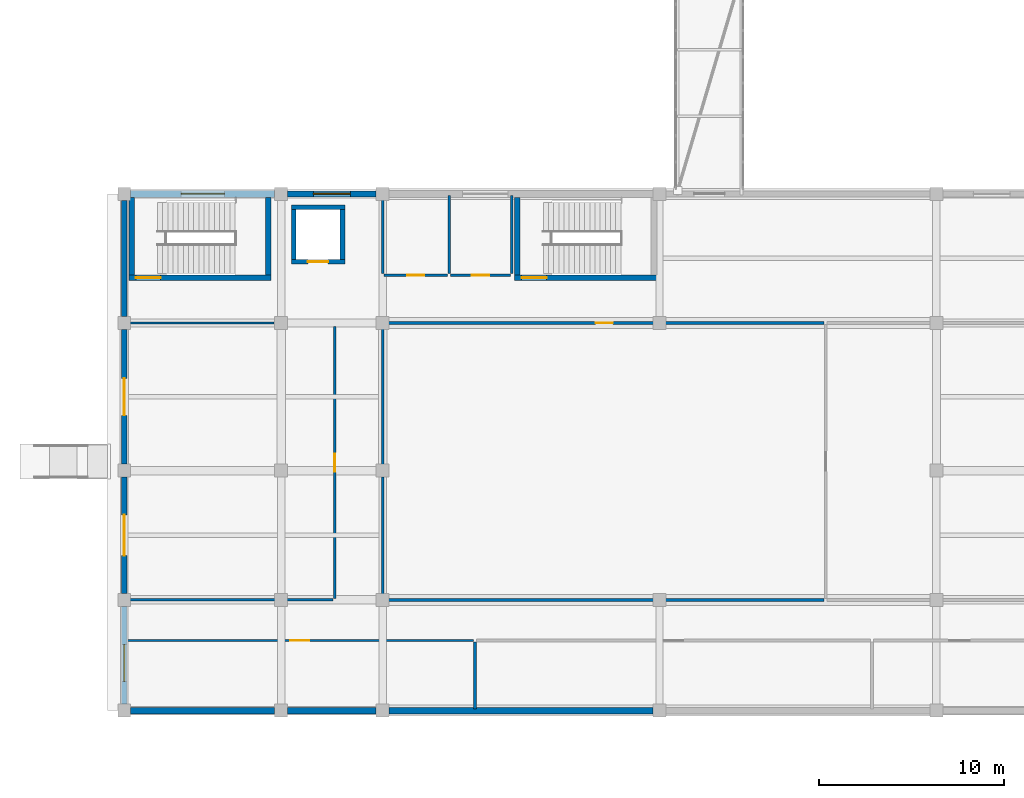
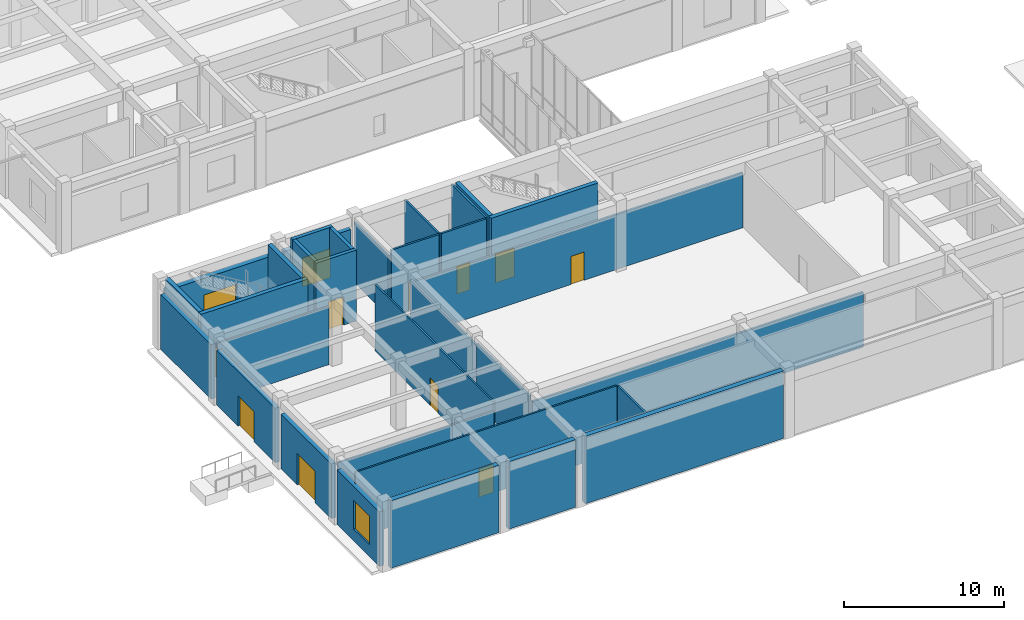
# One storey, part 18 of 40: 32 walls, 10 doors, 3 windows, 13 openings.
"""IFC4 building model written with IfcOpenShell, lengths in metres."""

import ifcopenshell
import ifcopenshell.guid

model = None  # the IFC model being written
_history = None  # IfcOwnerHistory: only IFC2X3 demands one
_inside = {}  # id of a spatial element -> (the spatial element, [elements in it])
_under = {}  # id of a project, library or spatial element -> (it, [spatial elements below it])
_declared = {}  # id of a project -> (the project, [libraries it declares])
_typed = {}  # id of a type object -> (the type object, [elements of that type])
_made_of = {}  # id of a material, layer set ... -> (it, [elements and type objects made of it])


def new_model(schema):
    """Start an empty IFC model of exactly this schema.

    Asked for "IFC4X3", IfcOpenShell would pick the latest addendum, in which some entities
    have other attributes; the version numbers below select the first issue.
    IFC2X3 requires an IfcOwnerHistory on every rooted entity: one is made here for all.
    """
    global model, _history
    if schema == "IFC4X3":
        model = ifcopenshell.file(schema_version=(4, 3, 0, 0))
    else:
        model = ifcopenshell.file(schema=schema)
    _inside.clear()
    _under.clear()
    _declared.clear()
    _typed.clear()
    _made_of.clear()
    _history = None
    if model.schema == "IFC2X3":
        org = make("IfcOrganization", Name="unknown")
        user = make(
            "IfcPersonAndOrganization",
            ThePerson=make("IfcPerson", FamilyName="unknown"),
            TheOrganization=org,
        )
        app = make(
            "IfcApplication",
            ApplicationDeveloper=org,
            Version="unknown",
            ApplicationFullName="unknown",
            ApplicationIdentifier="unknown",
        )
        _history = make(
            "IfcOwnerHistory",
            OwningUser=user,
            OwningApplication=app,
            ChangeAction="ADDED",
            CreationDate=0,
        )
    return model


def make(cls, **values):
    """One entity of the class cls with the attributes given. An attribute that is None is left unset."""
    return model.create_entity(
        cls, **{name: value for name, value in values.items() if value is not None}
    )


def rooted(cls, **values):
    """An entity with a GlobalId (a new one), such as an element, a storey or a relation."""
    return make(cls, GlobalId=ifcopenshell.guid.new(), OwnerHistory=_history, **values)


def si_unit(unit_type, name, prefix=None):
    """IfcSIUnit, for example si_unit("LENGTHUNIT", "METRE", prefix="MILLI")."""
    return make("IfcSIUnit", UnitType=unit_type, Prefix=prefix, Name=name)


def assignment(units):
    """IfcUnitAssignment: the units of a project."""
    return None if units is None else make("IfcUnitAssignment", Units=units)


def point(xyz):
    """IfcCartesianPoint."""
    return None if xyz is None else make("IfcCartesianPoint", Coordinates=xyz)


def direction(xyz):
    """IfcDirection."""
    return None if xyz is None else make("IfcDirection", DirectionRatios=xyz)


def frame(location, z_axis=None, x_axis=None):
    """IfcAxis2Placement3D, a coordinate frame: its origin and axes. An axis left out is left unset."""
    return make(
        "IfcAxis2Placement3D",
        Location=point(location),
        Axis=direction(z_axis),
        RefDirection=direction(x_axis),
    )


def frame_2d(location, x_axis=None):
    """IfcAxis2Placement2D, a coordinate frame in the plane: its origin and x axis."""
    return make(
        "IfcAxis2Placement2D", Location=point(location), RefDirection=direction(x_axis)
    )


def origin():
    """The frame at (0, 0, 0) with its axes left unset."""
    return frame((0.0, 0.0, 0.0))


def place(relative_to, where):
    """IfcLocalPlacement: puts the frame where relative to a parent placement (None: the world)."""
    return make(
        "IfcLocalPlacement", PlacementRelTo=relative_to, RelativePlacement=where
    )


def context(
    kind, dimensions, precision=None, world=None, true_north=None, identifier=None
):
    """IfcGeometricRepresentationContext, for example the 3D "Model" context."""
    return make(
        "IfcGeometricRepresentationContext",
        ContextIdentifier=identifier,
        ContextType=kind,
        CoordinateSpaceDimension=dimensions,
        Precision=precision,
        WorldCoordinateSystem=world,
        TrueNorth=true_north,
    )


def subcontext(parent, identifier, kind, view, scale=None):
    """IfcGeometricRepresentationSubContext, for example "Body" below "Model"."""
    return make(
        "IfcGeometricRepresentationSubContext",
        ContextIdentifier=identifier,
        ContextType=kind,
        ParentContext=parent,
        TargetScale=scale,
        TargetView=view,
    )


def project(units=None, contexts=None):
    """IfcProject with its units and contexts."""
    return rooted(
        "IfcProject",
        Name="project",
        RepresentationContexts=contexts,
        UnitsInContext=assignment(units),
    )


def spatial(cls, under=None, at=None, **own):
    """A site, building, storey or space (cls), placed at a placement, below another one or the project."""
    s = rooted(cls, ObjectPlacement=at, **own)
    if under is not None:
        _under.setdefault(under.id(), (under, []))[1].append(s)
    return s


def profile(cls, at=None, kind="AREA", **sizes):
    """A parametric profile (cls). Its sizes go by their IFC names, for example OverallWidth=200.0."""
    return make(cls, ProfileType=kind, Position=at, **sizes)


def rectangle(**sizes):
    """IfcRectangleProfileDef."""
    return profile("IfcRectangleProfileDef", **sizes)


def extrude(swept, where, along, depth):
    """IfcExtrudedAreaSolid: the profile swept, set in the frame where, extruded along a direction by depth."""
    return make(
        "IfcExtrudedAreaSolid",
        SweptArea=swept,
        Position=where,
        ExtrudedDirection=direction(along),
        Depth=depth,
    )


def shape(context_of_items, identifier, shape_type, items):
    """IfcShapeRepresentation: the items that make up one representation, for example the "Body"."""
    return make(
        "IfcShapeRepresentation",
        ContextOfItems=context_of_items,
        RepresentationIdentifier=identifier,
        RepresentationType=shape_type,
        Items=items,
    )


def material(Name=None, Category=None):
    """IfcMaterial."""
    return make("IfcMaterial", Name=Name, Category=Category)


def layer(
    of_material, thickness, ventilated=None, Name=None, Category=None, Priority=None
):
    """IfcMaterialLayer: one layer of a wall or slab, of a material (None: an air gap)."""
    return make(
        "IfcMaterialLayer",
        Material=of_material,
        LayerThickness=thickness,
        IsVentilated=ventilated,
        Name=Name,
        Category=Category,
        Priority=Priority,
    )


def layer_set(layers, Name=None):
    """IfcMaterialLayerSet."""
    return make("IfcMaterialLayerSet", MaterialLayers=layers, LayerSetName=Name)


def made_of(thing, what):
    """Note that an element or type object is made of a material, layer set ...; save() writes the relation."""
    if what is not None:
        _made_of.setdefault(what.id(), (what, []))[1].append(thing)
    return thing


def type_object(cls, material=None, **own):
    """A type object (cls), such as IfcWallType, which elements share."""
    return made_of(rooted(cls, **own), material)


def element(
    cls,
    number,
    at=None,
    inside=None,
    cuts=None,
    type_object=None,
    material=None,
    context=None,
    identifier="Body",
    shape_type=None,
    held_by="IfcProductDefinitionShape",
    body=None,
    shapes=None,
    **own,
):
    """One element of the class cls, such as IfcWall. Its Tag is "e" and its number.

    at: its placement. inside: the storey or other place that contains it. cuts: it is an
    opening in that element (IfcRelVoidsElement). A single representation is given by context,
    identifier, shape_type and body (its items); several are given by shapes. held_by: the class
    of the entity that holds the representations. save() writes the other relations.
    """
    e = rooted(cls, Tag="e%d" % number, ObjectPlacement=at, **own)
    if body is not None:
        shapes = [shape(context, identifier, shape_type, body)]
    if shapes is not None:
        e.Representation = make(held_by, Representations=shapes)
    if inside is not None:
        _inside.setdefault(inside.id(), (inside, []))[1].append(e)
    if cuts is not None:
        rooted(
            "IfcRelVoidsElement", RelatingBuildingElement=cuts, RelatedOpeningElement=e
        )
    if type_object is not None:
        _typed.setdefault(type_object.id(), (type_object, []))[1].append(e)
    return made_of(e, material)


def fill(opening, filler):
    """IfcRelFillsElement: the door or window that sits in an opening."""
    return rooted(
        "IfcRelFillsElement",
        RelatingOpeningElement=opening,
        RelatedBuildingElement=filler,
    )


def aggregate(whole, parts):
    """IfcRelAggregates: a whole, such as a stair, and the parts it consists of."""
    return rooted("IfcRelAggregates", RelatingObject=whole, RelatedObjects=parts)


def save(model, path):
    """Write the relations noted so far, then the file.

    IfcRelAggregates (storeys below a building ...), IfcRelContainedInSpatialStructure (elements
    in a storey), IfcRelDefinesByType, IfcRelAssociatesMaterial and IfcRelDeclares: one each for
    every whole, place, type object, material and project.
    """
    for whole, parts in _under.values():
        aggregate(whole, parts)
    for where, things in _inside.values():
        rooted(
            "IfcRelContainedInSpatialStructure",
            RelatedElements=things,
            RelatingStructure=where,
        )
    for kind, things in _typed.values():
        rooted("IfcRelDefinesByType", RelatedObjects=things, RelatingType=kind)
    for what, things in _made_of.values():
        rooted("IfcRelAssociatesMaterial", RelatedObjects=things, RelatingMaterial=what)
    for by, libraries in _declared.values():
        rooted("IfcRelDeclares", RelatingContext=by, RelatedDefinitions=libraries)
    model.write(path)


model = new_model("IFC4")

# Units and contexts
model_context = context("Model", 3, precision=1e-05, world=origin(), true_north=direction((0.0, 1.0)))
body_context = subcontext(model_context, "Body", "Model", "MODEL_VIEW")
ifc_project = project(units=[si_unit("LENGTHUNIT", "METRE"), si_unit("AREAUNIT", "SQUARE_METRE"), si_unit("VOLUMEUNIT", "CUBIC_METRE"), si_unit("PLANEANGLEUNIT", "RADIAN"), si_unit("MASSUNIT", "GRAM", prefix="KILO")], contexts=[model_context])

# Site, building, storey
site_placement = place(None, origin())
site = spatial("IfcSite", under=ifc_project, at=site_placement, CompositionType="ELEMENT")
building_placement = place(site_placement, origin())
building = spatial("IfcBuilding", under=site, at=building_placement, Name="Naurynzar Civic Courthouse", CompositionType="ELEMENT")
storey_placement = place(building_placement, origin())
storey = spatial("IfcBuildingStorey", under=building, at=storey_placement, Name="L01", CompositionType="ELEMENT", Elevation=0.0)

# Wall, opening, door
ifc_material_1 = material(Name="Concrete C40/50", Category="concrete")
ifc_layer_1 = layer(ifc_material_1, 0.300048828125)
ifc_layer_set_1 = layer_set([ifc_layer_1], Name="WL-CORE-300")
wall_type_1 = type_object("IfcWallType", Name="WL-CORE-300", PredefinedType="SHEAR", material=ifc_layer_set_1)
wall_1_placement = place(storey_placement, frame((13.949951171875, 27.449951171875, 0.0), z_axis=(0.0, 0.0, 1.0), x_axis=(-1.0, 0.0, 0.0)))
wall_1 = element("IfcWall", 1, at=wall_1_placement, inside=storey, type_object=wall_type_1, Name="Stair ST-V4A enclosure wall south L01", PredefinedType="SHEAR", context=body_context, shape_type="SweptSolid", body=[
    extrude(rectangle(XDim=7.699951171875, YDim=0.300048828125, at=frame_2d((3.85009765625, 0.0))), origin(), (0.0, 0.0, 1.0), 5.139892578125),
])
opening_1_placement = place(wall_1_placement, frame((5.97509765625, 0.0, 0.0)))
opening_1 = element("IfcOpeningElement", 2, at=opening_1_placement, cuts=wall_1, Name="Opening SD-012", PredefinedType="OPENING", context=body_context, shape_type="SweptSolid", body=[
    extrude(rectangle(XDim=1.35009765625, YDim=2.199951171875, at=frame_2d((0.675048828125, 1.10009765625))), frame((0.0, 0.159912109375, 0.0), z_axis=(0.0, -1.0, 0.0), x_axis=(1.0, 0.0, 0.0)), (0.0, 0.0, 1.0), 0.320068359375),
])
ifc_material_2 = material(Name="Powder-Coated Galvanised Steel", Category="steel")
door_type_1 = type_object("IfcDoorType", Name="DR-STAIR-1350x2200", OperationType="NOTDEFINED", PredefinedType="DOOR", material=ifc_material_2)
door_1_placement = place(opening_1_placement, origin())
door_1 = element("IfcDoor", 3, at=door_1_placement, inside=storey, type_object=door_type_1, Name="Stair ST-V4A fire door L01", OperationType="SINGLE_SWING_RIGHT", OverallHeight=2.199951171875, OverallWidth=1.35009765625, PredefinedType="DOOR", context=body_context, shape_type="SweptSolid", body=[
    extrude(rectangle(XDim=1.35009765625, YDim=2.199951171875, at=frame_2d((0.675048828125, 1.10009765625))), frame((0.0, 0.02490234375, 0.0), z_axis=(0.0, -1.0, 0.0), x_axis=(1.0, 0.0, 0.0)), (0.0, 0.0, 1.0), 0.050048828125),
])
fill(opening_1, door_1)

# Walls
for number, where, z_axis, x_axis, name in (
    (4, (6.39990234375, 31.804931640625, 0.0), (0.0, 0.0, 1.0), (0.0, -1.0, 0.0), "Stair ST-V4A enclosure wall west L01"),
    (5, (13.800048828125, 27.60498046875, 0.0), (0.0, 0.0, 1.0), (0.0, 1.0, 0.0), "Stair ST-V4A enclosure wall east L01"),
):
    element("IfcWall", number, at=place(storey_placement, frame(where, z_axis=z_axis, x_axis=x_axis)), inside=storey, type_object=wall_type_1, Name=name, PredefinedType="SHEAR", context=body_context, shape_type="SweptSolid", body=[
        extrude(rectangle(XDim=4.199951171875, YDim=0.300048828125, at=frame_2d((2.10009765625, 0.0))), origin(), (0.0, 0.0, 1.0), 5.139892578125),
    ])

# Wall, opening, door
wall_2_placement = place(storey_placement, frame((34.85009765625, 27.449951171875, 0.0), z_axis=(0.0, 0.0, 1.0), x_axis=(-1.0, 0.0, 0.0)))
wall_2 = element("IfcWall", 6, at=wall_2_placement, inside=storey, type_object=wall_type_1, Name="Stair ST-V4B enclosure wall south L01", PredefinedType="SHEAR", context=body_context, shape_type="SweptSolid", body=[
    extrude(rectangle(XDim=7.7001953125, YDim=0.300048828125, at=frame_2d((3.85009765625, 0.0))), origin(), (0.0, 0.0, 1.0), 5.139892578125),
])
opening_2_placement = place(wall_2_placement, frame((5.97509765625, 0.0, 0.0)))
opening_2 = element("IfcOpeningElement", 7, at=opening_2_placement, cuts=wall_2, Name="Opening SD-018", PredefinedType="OPENING", context=body_context, shape_type="SweptSolid", body=[
    extrude(rectangle(XDim=1.35009765625, YDim=2.199951171875, at=frame_2d((0.675048828125, 1.10009765625))), frame((0.0, 0.159912109375, 0.0), z_axis=(0.0, -1.0, 0.0), x_axis=(1.0, 0.0, 0.0)), (0.0, 0.0, 1.0), 0.320068359375),
])
door_2_placement = place(opening_2_placement, origin())
door_2 = element("IfcDoor", 8, at=door_2_placement, inside=storey, type_object=door_type_1, Name="Stair ST-V4B fire door L01", OperationType="SINGLE_SWING_RIGHT", OverallHeight=2.199951171875, OverallWidth=1.35009765625, PredefinedType="DOOR", context=body_context, shape_type="SweptSolid", body=[
    extrude(rectangle(XDim=1.35009765625, YDim=2.199951171875, at=frame_2d((0.675048828125, 1.10009765625))), frame((0.0, 0.02490234375, 0.0), z_axis=(0.0, -1.0, 0.0), x_axis=(1.0, 0.0, 0.0)), (0.0, 0.0, 1.0), 0.050048828125),
])
fill(opening_2, door_2)

# Wall
wall_3_placement = place(storey_placement, frame((27.300048828125, 31.804931640625, 0.0), z_axis=(0.0, 0.0, 1.0), x_axis=(0.0, -1.0, 0.0)))
element("IfcWall", 9, at=wall_3_placement, inside=storey, type_object=wall_type_1, Name="Stair ST-V4B enclosure wall west L01", PredefinedType="SHEAR", context=body_context, shape_type="SweptSolid", body=[
    extrude(rectangle(XDim=4.199951171875, YDim=0.300048828125, at=frame_2d((2.10009765625, 0.0))), origin(), (0.0, 0.0, 1.0), 5.139892578125),
])

# Wall, opening, window
ifc_material_3 = material(Name="Precast concrete C40/50", Category="concrete")
ifc_layer_2 = layer(ifc_material_3, 0.320068359375)
ifc_layer_set_2 = layer_set([ifc_layer_2], Name="WL-EXT-320")
wall_type_2 = type_object("IfcWallType", Name="WL-EXT-320", PredefinedType="SOLIDWALL", material=ifc_layer_set_2)
wall_4_placement = place(storey_placement, frame((6.0, 4.35009765625, 0.0), z_axis=(0.0, 0.0, 1.0), x_axis=(0.0, 1.0, 0.0)))
wall_4 = element("IfcWall", 10, at=wall_4_placement, inside=storey, type_object=wall_type_2, Name="V4 exterior wall west L01.1.1", PredefinedType="SOLIDWALL", context=body_context, shape_type="SweptSolid", body=[
    extrude(rectangle(XDim=5.2998046875, YDim=0.320068359375, at=frame_2d((2.64990234375, 0.0))), origin(), (0.0, 0.0, 1.0), 4.159912109375),
])
opening_3_placement = place(wall_4_placement, frame((1.22998046875, 0.0, 0.89990234375)))
opening_3 = element("IfcOpeningElement", 11, at=opening_3_placement, cuts=wall_4, Name="Opening WN-13", PredefinedType="OPENING", context=body_context, shape_type="SweptSolid", body=[
    extrude(rectangle(XDim=2.0, YDim=2.199951171875, at=frame_2d((1.0, 1.10009765625))), frame((0.0, 0.169921875, 0.0), z_axis=(0.0, -1.0, 0.0), x_axis=(1.0, 0.0, 0.0)), (0.0, 0.0, 1.0), 0.340087890625),
])
ifc_material_4 = material(Name="Tempered Laminated Low-E Glass", Category="glass")
window_type_1 = type_object("IfcWindowType", Name="WIN-REG-2000x2200", PartitioningType="DOUBLE_PANEL_VERTICAL", PredefinedType="WINDOW", material=ifc_material_4)
window_1_placement = place(opening_3_placement, origin())
window_1 = element("IfcWindow", 12, at=window_1_placement, inside=storey, type_object=window_type_1, Name="V4 window 214 L01", OverallHeight=2.199951171875, OverallWidth=2.0, PartitioningType="SINGLE_PANEL", PredefinedType="WINDOW", context=body_context, shape_type="SweptSolid", body=[
    extrude(rectangle(XDim=2.0, YDim=2.199951171875, at=frame_2d((1.0, 1.10009765625))), frame((0.0, 0.030029296875, 0.0), z_axis=(0.0, -1.0, 0.0), x_axis=(1.0, 0.0, 0.0)), (0.0, 0.0, 1.0), 0.06005859375),
])
fill(opening_3, window_1)

# Wall, opening, door
wall_5_placement = place(storey_placement, frame((6.0, 10.35009765625, 0.0), z_axis=(0.0, 0.0, 1.0), x_axis=(0.0, 1.0, 0.0)))
wall_5 = element("IfcWall", 13, at=wall_5_placement, inside=storey, type_object=wall_type_2, Name="V4 exterior wall west L01.2.1", PredefinedType="SOLIDWALL", context=body_context, shape_type="SweptSolid", body=[
    extrude(rectangle(XDim=6.2998046875, YDim=0.320068359375, at=frame_2d((3.14990234375, 0.0))), origin(), (0.0, 0.0, 1.0), 4.159912109375),
])
opening_4_placement = place(wall_5_placement, frame((2.050048828125, 0.0, 0.0)))
opening_4 = element("IfcOpeningElement", 14, at=opening_4_placement, cuts=wall_5, Name="Opening ED-14", PredefinedType="OPENING", context=body_context, shape_type="SweptSolid", body=[
    extrude(rectangle(XDim=2.199951171875, YDim=2.39990234375, at=frame_2d((1.10009765625, 1.199951171875))), frame((0.0, 0.169921875, 0.0), z_axis=(0.0, -1.0, 0.0), x_axis=(1.0, 0.0, 0.0)), (0.0, 0.0, 1.0), 0.340087890625),
])
ifc_material_5 = material(Name="Aluminium 6063-T6", Category="aluminium")
door_type_2 = type_object("IfcDoorType", Name="DR-EXT-2200x2400", OperationType="DOUBLE_DOOR_SINGLE_SWING", PredefinedType="DOOR", material=ifc_material_5)
door_3_placement = place(opening_4_placement, origin())
door_3 = element("IfcDoor", 15, at=door_3_placement, inside=storey, type_object=door_type_2, Name="Ground final exit door ED-14", OperationType="DOUBLE_DOOR_SINGLE_SWING", OverallHeight=2.39990234375, OverallWidth=2.199951171875, PredefinedType="DOOR", context=body_context, shape_type="SweptSolid", body=[
    extrude(rectangle(XDim=2.199951171875, YDim=2.39990234375, at=frame_2d((1.10009765625, 1.199951171875))), frame((0.0, 0.02490234375, 0.0), z_axis=(0.0, -1.0, 0.0), x_axis=(1.0, 0.0, 0.0)), (0.0, 0.0, 1.0), 0.050048828125),
])
fill(opening_4, door_3)

wall_6_placement = place(storey_placement, frame((6.0, 17.35009765625, 0.0), z_axis=(0.0, 0.0, 1.0), x_axis=(0.0, 1.0, 0.0)))
wall_6 = element("IfcWall", 16, at=wall_6_placement, inside=storey, type_object=wall_type_2, Name="V4 exterior wall west L01.3.1", PredefinedType="SOLIDWALL", context=body_context, shape_type="SweptSolid", body=[
    extrude(rectangle(XDim=7.2998046875, YDim=0.320068359375, at=frame_2d((3.64990234375, 0.0))), origin(), (0.0, 0.0, 1.0), 4.159912109375),
])
opening_5_placement = place(wall_6_placement, frame((2.64990234375, 0.0, 0.0)))
opening_5 = element("IfcOpeningElement", 17, at=opening_5_placement, cuts=wall_6, Name="Opening ED-15", PredefinedType="OPENING", context=body_context, shape_type="SweptSolid", body=[
    extrude(rectangle(XDim=2.0, YDim=2.300048828125, at=frame_2d((1.0, 1.14990234375))), frame((0.0, 0.169921875, 0.0), z_axis=(0.0, -1.0, 0.0), x_axis=(1.0, 0.0, 0.0)), (0.0, 0.0, 1.0), 0.340087890625),
])
ifc_material_6 = material(Name="Aluminium 6063-T6", Category="aluminium")
door_type_3 = type_object("IfcDoorType", Name="DR-EXT-2000x2300", OperationType="DOUBLE_DOOR_SINGLE_SWING", PredefinedType="DOOR", material=ifc_material_6)
door_4_placement = place(opening_5_placement, origin())
door_4 = element("IfcDoor", 18, at=door_4_placement, inside=storey, type_object=door_type_3, Name="Ground final exit door ED-15", OperationType="DOUBLE_DOOR_SINGLE_SWING", OverallHeight=2.300048828125, OverallWidth=2.0, PredefinedType="DOOR", context=body_context, shape_type="SweptSolid", body=[
    extrude(rectangle(XDim=2.0, YDim=2.300048828125, at=frame_2d((1.0, 1.14990234375))), frame((0.0, 0.02490234375, 0.0), z_axis=(0.0, -1.0, 0.0), x_axis=(1.0, 0.0, 0.0)), (0.0, 0.0, 1.0), 0.050048828125),
])
fill(opening_5, door_4)

# Wall
wall_7_placement = place(storey_placement, frame((6.0, 25.35009765625, 0.0), z_axis=(0.0, 0.0, 1.0), x_axis=(0.0, 1.0, 0.0)))
element("IfcWall", 19, at=wall_7_placement, inside=storey, type_object=wall_type_2, Name="V4 exterior wall west L01.4.1", PredefinedType="SOLIDWALL", context=body_context, shape_type="SweptSolid", body=[
    extrude(rectangle(XDim=6.2998046875, YDim=0.320068359375, at=frame_2d((3.14990234375, 0.0))), origin(), (0.0, 0.0, 1.0), 4.159912109375),
])

# Wall, opening, window
wall_8_placement = place(storey_placement, frame((14.85009765625, 32.0, 0.0), z_axis=(0.0, 0.0, 1.0), x_axis=(1.0, 0.0, 0.0)))
wall_8 = element("IfcWall", 20, at=wall_8_placement, inside=storey, type_object=wall_type_2, Name="V4 exterior wall north L01.2.1", PredefinedType="SOLIDWALL", context=body_context, shape_type="SweptSolid", body=[
    extrude(rectangle(XDim=4.7998046875, YDim=0.320068359375, at=frame_2d((2.39990234375, 0.0))), origin(), (0.0, 0.0, 1.0), 4.159912109375),
])
opening_6_placement = place(wall_8_placement, frame((1.39990234375, 0.0, 0.89990234375)))
opening_6 = element("IfcOpeningElement", 21, at=opening_6_placement, cuts=wall_8, Name="Opening WN-13", PredefinedType="OPENING", context=body_context, shape_type="SweptSolid", body=[
    extrude(rectangle(XDim=2.0, YDim=2.199951171875, at=frame_2d((1.0, 1.10009765625))), frame((0.0, 0.169921875, 0.0), z_axis=(0.0, -1.0, 0.0), x_axis=(1.0, 0.0, 0.0)), (0.0, 0.0, 1.0), 0.340087890625),
])
window_2_placement = place(opening_6_placement, origin())
window_2 = element("IfcWindow", 22, at=window_2_placement, inside=storey, type_object=window_type_1, Name="V4 window 215 L01", OverallHeight=2.199951171875, OverallWidth=2.0, PartitioningType="SINGLE_PANEL", PredefinedType="WINDOW", context=body_context, shape_type="SweptSolid", body=[
    extrude(rectangle(XDim=2.0, YDim=2.199951171875, at=frame_2d((1.0, 1.10009765625))), frame((0.0, 0.030029296875, 0.0), z_axis=(0.0, -1.0, 0.0), x_axis=(1.0, 0.0, 0.0)), (0.0, 0.0, 1.0), 0.06005859375),
])
fill(opening_6, window_2)

# Wall
ifc_material_7 = material(Name="Fire-Rated Corridor Gypsum Partition")
ifc_layer_3 = layer(ifc_material_7, 0.14990234375)
ifc_layer_set_3 = layer_set([ifc_layer_3], Name="WL-PART-CORR-150")
wall_type_3 = type_object("IfcWallType", Name="WL-PART-CORR-150", PredefinedType="PARTITIONING", material=ifc_layer_set_3)
wall_9_placement = place(storey_placement, frame((20.080078125, 10.0, 0.0), z_axis=(0.0, 0.0, 1.0), x_axis=(1.0, 0.0, 0.0)))
element("IfcWall", 23, at=wall_9_placement, inside=storey, type_object=wall_type_3, Name="V4 interior partition L01.72", PredefinedType="PARTITIONING", context=body_context, shape_type="SweptSolid", body=[
    extrude(rectangle(XDim=23.83984375, YDim=0.14990234375, at=frame_2d((11.919921875, 0.0))), origin(), (0.0, 0.0, 1.0), 4.179931640625),
])

# Wall, opening, door
wall_10_placement = place(storey_placement, frame((20.080078125, 25.0, 0.0), z_axis=(0.0, 0.0, 1.0), x_axis=(1.0, 0.0, 0.0)))
wall_10 = element("IfcWall", 24, at=wall_10_placement, inside=storey, type_object=wall_type_3, Name="V4 interior partition L01.82", PredefinedType="PARTITIONING", context=body_context, shape_type="SweptSolid", body=[
    extrude(rectangle(XDim=23.83984375, YDim=0.14990234375, at=frame_2d((11.919921875, 0.0))), origin(), (0.0, 0.0, 1.0), 4.179931640625),
])
opening_7_placement = place(wall_10_placement, frame((11.449951171875, 0.0, 0.0)))
opening_7 = element("IfcOpeningElement", 25, at=opening_7_placement, cuts=wall_10, Name="Opening D-057", PredefinedType="OPENING", context=body_context, shape_type="SweptSolid", body=[
    extrude(rectangle(XDim=0.93994140625, YDim=2.14990234375, at=frame_2d((0.469970703125, 1.074951171875))), frame((0.0, 0.0849609375, 0.0), z_axis=(0.0, -1.0, 0.0), x_axis=(1.0, 0.0, 0.0)), (0.0, 0.0, 1.0), 0.169921875),
])
ifc_material_8 = material(Name="Acoustic Oak Timber Grade A", Category="wood")
door_type_4 = type_object("IfcDoorType", Name="DR-SUITE-940x2150", OperationType="NOTDEFINED", PredefinedType="DOOR", material=ifc_material_8)
door_5_placement = place(opening_7_placement, origin())
door_5 = element("IfcDoor", 26, at=door_5_placement, inside=storey, type_object=door_type_4, Name="Interior door D-057 (Public Hall)", OperationType="SINGLE_SWING_LEFT", OverallHeight=2.14990234375, OverallWidth=0.93994140625, PredefinedType="DOOR", context=body_context, shape_type="SweptSolid", body=[
    extrude(rectangle(XDim=0.93994140625, YDim=2.14990234375, at=frame_2d((0.469970703125, 1.074951171875))), frame((0.0, 0.02490234375, 0.0), z_axis=(0.0, -1.0, 0.0), x_axis=(1.0, 0.0, 0.0)), (0.0, 0.0, 1.0), 0.050048828125),
])
fill(opening_7, door_5)

# Walls
wall_11_placement = place(storey_placement, frame((20.0, 10.080078125, 0.0), z_axis=(0.0, 0.0, 1.0), x_axis=(0.0, 1.0, 0.0)))
element("IfcWall", 27, at=wall_11_placement, inside=storey, type_object=wall_type_3, Name="V4 interior partition L01.137a", PredefinedType="PARTITIONING", context=body_context, shape_type="SweptSolid", body=[
    extrude(rectangle(XDim=6.56982421875, YDim=0.14990234375, at=frame_2d((3.284912109375, 0.0))), origin(), (0.0, 0.0, 1.0), 4.580078125),
])
wall_12_placement = place(storey_placement, frame((20.0, 16.64990234375, 0.0), z_axis=(0.0, 0.0, 1.0), x_axis=(0.0, 1.0, 0.0)))
element("IfcWall", 28, at=wall_12_placement, inside=storey, type_object=wall_type_3, Name="V4 interior partition L01.137ab", PredefinedType="PARTITIONING", context=body_context, shape_type="SweptSolid", body=[
    extrude(rectangle(XDim=8.27001953125, YDim=0.14990234375, at=frame_2d((4.135009765625, 0.0))), origin(), (0.0, 0.0, 1.0), 4.429931640625),
])
wall_13_placement = place(storey_placement, frame((25.0, 4.080078125, 0.0), z_axis=(0.0, 0.0, 1.0), x_axis=(0.0, 1.0, 0.0)))
element("IfcWall", 29, at=wall_13_placement, inside=storey, type_object=wall_type_3, Name="V4 interior partition L01.140", PredefinedType="PARTITIONING", context=body_context, shape_type="SweptSolid", body=[
    extrude(rectangle(XDim=3.639892578125, YDim=0.14990234375, at=frame_2d((1.81982421875, 0.0))), origin(), (0.0, 0.0, 1.0), 5.0400390625),
])

# Wall, opening, door
ifc_material_9 = material(Name="Metal-Stud Gypsum Partition")
ifc_layer_4 = layer(ifc_material_9, 0.125)
ifc_layer_set_4 = layer_set([ifc_layer_4], Name="WL-PART-STD-125")
wall_type_4 = type_object("IfcWallType", Name="WL-PART-STD-125", PredefinedType="PARTITIONING", material=ifc_layer_set_4)
wall_14_placement = place(storey_placement, frame((6.080078125, 7.800048828125, 0.0), z_axis=(0.0, 0.0, 1.0), x_axis=(1.0, 0.0, 0.0)))
wall_14 = element("IfcWall", 30, at=wall_14_placement, inside=storey, type_object=wall_type_4, Name="V4 interior partition L01.68", PredefinedType="PARTITIONING", context=body_context, shape_type="SweptSolid", body=[
    extrude(rectangle(XDim=18.83984375, YDim=0.125, at=frame_2d((9.419921875, 0.0))), origin(), (0.0, 0.0, 1.0), 5.0400390625),
])
opening_8_placement = place(wall_14_placement, frame((8.89990234375, 0.0, 0.0)))
opening_8 = element("IfcOpeningElement", 31, at=opening_8_placement, cuts=wall_14, Name="Opening D-060", PredefinedType="OPENING", context=body_context, shape_type="SweptSolid", body=[
    extrude(rectangle(XDim=1.0400390625, YDim=2.14990234375, at=frame_2d((0.52001953125, 1.074951171875))), frame((0.0, 0.072509765625, 0.0), z_axis=(0.0, -1.0, 0.0), x_axis=(1.0, 0.0, 0.0)), (0.0, 0.0, 1.0), 0.14501953125),
])
ifc_material_10 = material(Name="Acoustic Oak Timber Grade A", Category="wood")
door_type_5 = type_object("IfcDoorType", Name="DR-SUITE-1040x2150", OperationType="NOTDEFINED", PredefinedType="DOOR", material=ifc_material_10)
door_6_placement = place(opening_8_placement, origin())
door_6 = element("IfcDoor", 32, at=door_6_placement, inside=storey, type_object=door_type_5, Name="Interior door D-060 (Civil Case Registry)", OperationType="SINGLE_SWING_RIGHT", OverallHeight=2.14990234375, OverallWidth=1.0400390625, PredefinedType="DOOR", context=body_context, shape_type="SweptSolid", body=[
    extrude(rectangle(XDim=1.0400390625, YDim=2.14990234375, at=frame_2d((0.52001953125, 1.074951171875))), frame((0.0, 0.02490234375, 0.0), z_axis=(0.0, -1.0, 0.0), x_axis=(1.0, 0.0, 0.0)), (0.0, 0.0, 1.0), 0.050048828125),
])
fill(opening_8, door_6)

# Walls
wall_15_placement = place(storey_placement, frame((6.080078125, 10.0, 0.0), z_axis=(0.0, 0.0, 1.0), x_axis=(1.0, 0.0, 0.0)))
element("IfcWall", 33, at=wall_15_placement, inside=storey, type_object=wall_type_4, Name="V4 interior partition L01.71", PredefinedType="PARTITIONING", context=body_context, shape_type="SweptSolid", body=[
    extrude(rectangle(XDim=11.239990234375, YDim=0.125, at=frame_2d((5.6201171875, 0.0))), origin(), (0.0, 0.0, 1.0), 4.429931640625),
])
wall_16_placement = place(storey_placement, frame((6.080078125, 25.0, 0.0), z_axis=(0.0, 0.0, 1.0), x_axis=(1.0, 0.0, 0.0)))
element("IfcWall", 34, at=wall_16_placement, inside=storey, type_object=wall_type_4, Name="V4 interior partition L01.81", PredefinedType="PARTITIONING", context=body_context, shape_type="SweptSolid", body=[
    extrude(rectangle(XDim=8.02001953125, YDim=0.125, at=frame_2d((4.010009765625, 0.0))), origin(), (0.0, 0.0, 1.0), 4.429931640625),
])

# Wall, opening, door
wall_17_placement = place(storey_placement, frame((17.39990234375, 10.080078125, 0.0), z_axis=(0.0, 0.0, 1.0), x_axis=(0.0, 1.0, 0.0)))
wall_17 = element("IfcWall", 35, at=wall_17_placement, inside=storey, type_object=wall_type_4, Name="V4 interior partition L01.135", PredefinedType="PARTITIONING", context=body_context, shape_type="SweptSolid", body=[
    extrude(rectangle(XDim=14.719970703125, YDim=0.125, at=frame_2d((7.35986328125, 0.0))), origin(), (0.0, 0.0, 1.0), 5.0400390625),
])
opening_9_placement = place(wall_17_placement, frame((6.8701171875, 0.0, 0.0)))
opening_9 = element("IfcOpeningElement", 36, at=opening_9_placement, cuts=wall_17, Name="Opening D-058", PredefinedType="OPENING", context=body_context, shape_type="SweptSolid", body=[
    extrude(rectangle(XDim=0.97998046875, YDim=2.10009765625, at=frame_2d((0.489990234375, 1.050048828125))), frame((0.0, 0.072509765625, 0.0), z_axis=(0.0, -1.0, 0.0), x_axis=(1.0, 0.0, 0.0)), (0.0, 0.0, 1.0), 0.14501953125),
])
ifc_material_11 = material(Name="Acoustic Oak Timber Grade A", Category="wood")
door_type_6 = type_object("IfcDoorType", Name="DR-SUITE-980x2100", OperationType="NOTDEFINED", PredefinedType="DOOR", material=ifc_material_11)
door_7_placement = place(opening_9_placement, origin())
door_7 = element("IfcDoor", 37, at=door_7_placement, inside=storey, type_object=door_type_6, Name="Interior door D-058 (Security Screening Concourse)", OperationType="SINGLE_SWING_RIGHT", OverallHeight=2.10009765625, OverallWidth=0.97998046875, PredefinedType="DOOR", context=body_context, shape_type="SweptSolid", body=[
    extrude(rectangle(XDim=0.97998046875, YDim=2.10009765625, at=frame_2d((0.489990234375, 1.050048828125))), frame((0.0, 0.02490234375, 0.0), z_axis=(0.0, -1.0, 0.0), x_axis=(1.0, 0.0, 0.0)), (0.0, 0.0, 1.0), 0.050048828125),
])
fill(opening_9, door_7)

ifc_material_12 = material(Name="Moisture-Resistant Plumbing Partition")
ifc_layer_5 = layer(ifc_material_12, 0.139892578125)
ifc_layer_set_5 = layer_set([ifc_layer_5], Name="WL-PART-WC-140")
wall_type_5 = type_object("IfcWallType", Name="WL-PART-WC-140", PredefinedType="PLUMBINGWALL", material=ifc_layer_set_5)
wall_18_placement = place(storey_placement, frame((20.080078125, 27.60009765625, 0.0), z_axis=(0.0, 0.0, 1.0), x_axis=(1.0, 0.0, 0.0)))
wall_18 = element("IfcWall", 38, at=wall_18_placement, inside=storey, type_object=wall_type_5, Name="V4 interior partition L01.88", PredefinedType="PLUMBINGWALL", context=body_context, shape_type="SweptSolid", body=[
    extrude(rectangle(XDim=3.43994140625, YDim=0.139892578125, at=frame_2d((1.719970703125, 0.0))), origin(), (0.0, 0.0, 1.0), 5.0400390625),
])
opening_10_placement = place(wall_18_placement, frame((1.260009765625, 0.0, 0.0)))
opening_10 = element("IfcOpeningElement", 39, at=opening_10_placement, cuts=wall_18, Name="Opening D-055", PredefinedType="OPENING", context=body_context, shape_type="SweptSolid", body=[
    extrude(rectangle(XDim=0.919921875, YDim=2.10009765625, at=frame_2d((0.4599609375, 1.050048828125))), frame((0.0, 0.079833984375, 0.0), z_axis=(0.0, -1.0, 0.0), x_axis=(1.0, 0.0, 0.0)), (0.0, 0.0, 1.0), 0.159912109375),
])
ifc_material_13 = material(Name="Acoustic Oak Timber Grade A", Category="wood")
door_type_7 = type_object("IfcDoorType", Name="DR-WC-STD-920x2100", OperationType="NOTDEFINED", PredefinedType="DOOR", material=ifc_material_13)
door_8_placement = place(opening_10_placement, origin())
door_8 = element("IfcDoor", 40, at=door_8_placement, inside=storey, type_object=door_type_7, Name="Interior door D-055 (Public WC V4)", OperationType="SINGLE_SWING_LEFT", OverallHeight=2.10009765625, OverallWidth=0.919921875, PredefinedType="DOOR", context=body_context, shape_type="SweptSolid", body=[
    extrude(rectangle(XDim=0.919921875, YDim=2.10009765625, at=frame_2d((0.4599609375, 1.050048828125))), frame((0.0, 0.02490234375, 0.0), z_axis=(0.0, -1.0, 0.0), x_axis=(1.0, 0.0, 0.0)), (0.0, 0.0, 1.0), 0.050048828125),
])
fill(opening_10, door_8)

wall_19_placement = place(storey_placement, frame((23.679931640625, 27.60009765625, 0.0), z_axis=(0.0, 0.0, 1.0), x_axis=(1.0, 0.0, 0.0)))
wall_19 = element("IfcWall", 41, at=wall_19_placement, inside=storey, type_object=wall_type_5, Name="V4 interior partition L01.89", PredefinedType="PLUMBINGWALL", context=body_context, shape_type="SweptSolid", body=[
    extrude(rectangle(XDim=3.239990234375, YDim=0.139892578125, at=frame_2d((1.6201171875, 0.0))), origin(), (0.0, 0.0, 1.0), 5.0400390625),
])
opening_11_placement = place(wall_19_placement, frame((1.139892578125, 0.0, 0.0)))
opening_11 = element("IfcOpeningElement", 42, at=opening_11_placement, cuts=wall_19, Name="Opening D-056", PredefinedType="OPENING", context=body_context, shape_type="SweptSolid", body=[
    extrude(rectangle(XDim=0.9599609375, YDim=2.10009765625, at=frame_2d((0.47998046875, 1.050048828125))), frame((0.0, 0.079833984375, 0.0), z_axis=(0.0, -1.0, 0.0), x_axis=(1.0, 0.0, 0.0)), (0.0, 0.0, 1.0), 0.159912109375),
])
ifc_material_14 = material(Name="Acoustic Oak Timber Grade A", Category="wood")
door_type_8 = type_object("IfcDoorType", Name="DR-WC-ACC-960x2100", OperationType="NOTDEFINED", PredefinedType="DOOR", material=ifc_material_14)
door_9_placement = place(opening_11_placement, origin())
door_9 = element("IfcDoor", 43, at=door_9_placement, inside=storey, type_object=door_type_8, Name="Interior door D-056 (Accessible WC V4)", OperationType="SINGLE_SWING_RIGHT", OverallHeight=2.10009765625, OverallWidth=0.9599609375, PredefinedType="DOOR", context=body_context, shape_type="SweptSolid", body=[
    extrude(rectangle(XDim=0.9599609375, YDim=2.10009765625, at=frame_2d((0.47998046875, 1.050048828125))), frame((0.0, 0.02490234375, 0.0), z_axis=(0.0, -1.0, 0.0), x_axis=(1.0, 0.0, 0.0)), (0.0, 0.0, 1.0), 0.050048828125),
])
fill(opening_11, door_9)

# Walls
wall_20_placement = place(storey_placement, frame((20.0, 27.679931640625, 0.0), z_axis=(0.0, 0.0, 1.0), x_axis=(0.0, 1.0, 0.0)))
element("IfcWall", 44, at=wall_20_placement, inside=storey, type_object=wall_type_5, Name="V4 interior partition L01.138", PredefinedType="PLUMBINGWALL", context=body_context, shape_type="SweptSolid", body=[
    extrude(rectangle(XDim=4.239990234375, YDim=0.139892578125, at=frame_2d((2.1201171875, 0.0))), origin(), (0.0, 0.0, 1.0), 4.580078125),
])
for number, where, z_axis, x_axis, name in (
    (45, (23.60009765625, 27.679931640625, 0.0), (0.0, 0.0, 1.0), (0.0, 1.0, 0.0), "V4 interior partition L01.139"),
    (46, (27.0, 27.679931640625, 0.0), (0.0, 0.0, 1.0), (0.0, 1.0, 0.0), "V4 interior partition L01.141"),
):
    element("IfcWall", number, at=place(storey_placement, frame(where, z_axis=z_axis, x_axis=x_axis)), inside=storey, type_object=wall_type_5, Name=name, PredefinedType="PLUMBINGWALL", context=body_context, shape_type="SweptSolid", body=[
        extrude(rectangle(XDim=4.239990234375, YDim=0.139892578125, at=frame_2d((2.1201171875, 0.0))), origin(), (0.0, 0.0, 1.0), 5.0400390625),
    ])
ifc_material_15 = material(Name="Concrete C40/50", Category="concrete")
ifc_layer_6 = layer(ifc_material_15, 0.360107421875)
ifc_layer_set_6 = layer_set([ifc_layer_6], Name="WL-PARTY-360")
wall_type_6 = type_object("IfcWallType", Name="WL-PARTY-360", PredefinedType="SOLIDWALL", material=ifc_layer_set_6)
wall_21_placement = place(storey_placement, frame((34.64990234375, 4.0, 0.0), z_axis=(0.0, 0.0, 1.0), x_axis=(-1.0, 0.0, 0.0)))
element("IfcWall", 47, at=wall_21_placement, inside=storey, type_object=wall_type_6, Name="V4 solid seismic party wall L01 3", PredefinedType="SOLIDWALL", context=body_context, shape_type="SweptSolid", body=[
    extrude(rectangle(XDim=14.2998046875, YDim=0.360107421875, at=frame_2d((7.14990234375, 0.0))), origin(), (0.0, 0.0, 1.0), 5.139892578125),
])
wall_22_placement = place(storey_placement, frame((19.64990234375, 4.0, 0.0), z_axis=(0.0, 0.0, 1.0), x_axis=(-1.0, 0.0, 0.0)))
element("IfcWall", 48, at=wall_22_placement, inside=storey, type_object=wall_type_6, Name="V4 solid seismic party wall L01 4", PredefinedType="SOLIDWALL", context=body_context, shape_type="SweptSolid", body=[
    extrude(rectangle(XDim=4.7998046875, YDim=0.360107421875, at=frame_2d((2.39990234375, 0.0))), origin(), (0.0, 0.0, 1.0), 5.139892578125),
])
wall_23_placement = place(storey_placement, frame((14.14990234375, 4.0, 0.0), z_axis=(0.0, 0.0, 1.0), x_axis=(-1.0, 0.0, 0.0)))
element("IfcWall", 49, at=wall_23_placement, inside=storey, type_object=wall_type_6, Name="V4 solid seismic party wall L01 5", PredefinedType="SOLIDWALL", context=body_context, shape_type="SweptSolid", body=[
    extrude(rectangle(XDim=7.7998046875, YDim=0.360107421875, at=frame_2d((3.89990234375, 0.0))), origin(), (0.0, 0.0, 1.0), 5.139892578125),
])

# Wall, opening, window
ifc_material_16 = material(Name="Concrete C40/50", Category="concrete")
ifc_layer_7 = layer(ifc_material_16, 0.3798828125)
ifc_layer_set_7 = layer_set([ifc_layer_7], Name="WL-RET-380")
wall_type_7 = type_object("IfcWallType", Name="WL-RET-380", PredefinedType="STANDARD", material=ifc_layer_set_7)
wall_24_placement = place(storey_placement, frame((6.35009765625, 32.0, 0.0), z_axis=(0.0, 0.0, 1.0), x_axis=(1.0, 0.0, 0.0)))
wall_24 = element("IfcWall", 50, at=wall_24_placement, inside=storey, type_object=wall_type_7, Name="V4 exterior wall north L01.1.1", PredefinedType="STANDARD", context=body_context, shape_type="SweptSolid", body=[
    extrude(rectangle(XDim=7.7998046875, YDim=0.3798828125, at=frame_2d((3.89990234375, 0.0))), origin(), (0.0, 0.0, 1.0), 4.159912109375),
])
opening_12_placement = place(wall_24_placement, frame((2.72509765625, 0.0, 0.949951171875)))
opening_12 = element("IfcOpeningElement", 51, at=opening_12_placement, cuts=wall_24, Name="Opening WM-19", PredefinedType="OPENING", context=body_context, shape_type="SweptSolid", body=[
    extrude(rectangle(XDim=2.35009765625, YDim=1.949951171875, at=frame_2d((1.175048828125, 0.97509765625))), frame((0.0, 0.199951171875, 0.0), z_axis=(0.0, -1.0, 0.0), x_axis=(1.0, 0.0, 0.0)), (0.0, 0.0, 1.0), 0.39990234375),
])
ifc_material_17 = material(Name="Tempered Laminated Low-E Glass", Category="glass")
window_type_2 = type_object("IfcWindowType", Name="WIN-MOD-2350x1950", PartitioningType="DOUBLE_PANEL_VERTICAL", PredefinedType="WINDOW", material=ifc_material_17)
window_3_placement = place(opening_12_placement, origin())
window_3 = element("IfcWindow", 52, at=window_3_placement, inside=storey, type_object=window_type_2, Name="Modular glazed window 19", OverallHeight=1.949951171875, OverallWidth=2.35009765625, PartitioningType="SINGLE_PANEL", PredefinedType="WINDOW", context=body_context, shape_type="SweptSolid", body=[
    extrude(rectangle(XDim=2.35009765625, YDim=1.949951171875, at=frame_2d((1.175048828125, 0.97509765625))), frame((0.0, 0.030029296875, 0.0), z_axis=(0.0, -1.0, 0.0), x_axis=(1.0, 0.0, 0.0)), (0.0, 0.0, 1.0), 0.06005859375),
])
fill(opening_12, window_3)

# Wall, opening, door
ifc_material_18 = material(Name="Concrete C40/50", Category="concrete")
ifc_layer_8 = layer(ifc_material_18, 0.25)
ifc_layer_set_8 = layer_set([ifc_layer_8], Name="WL-SHAFT-250")
wall_type_8 = type_object("IfcWallType", Name="WL-SHAFT-250", PredefinedType="SHEAR", material=ifc_layer_set_8)
wall_25_placement = place(storey_placement, frame((15.050048828125, 28.324951171875, 0.0), z_axis=(0.0, 0.0, 1.0), x_axis=(1.0, 0.0, 0.0)))
wall_25 = element("IfcWall", 53, at=wall_25_placement, inside=storey, type_object=wall_type_8, Name="Lift LP-02 shaft wall south L01", PredefinedType="SHEAR", context=body_context, shape_type="SweptSolid", body=[
    extrude(rectangle(XDim=2.89990234375, YDim=0.25, at=frame_2d((1.449951171875, 0.0))), origin(), (0.0, 0.0, 1.0), 5.39990234375),
])
opening_13_placement = place(wall_25_placement, frame((0.89990234375, 0.0, 0.0)))
opening_13 = element("IfcOpeningElement", 54, at=opening_13_placement, cuts=wall_25, Name="Opening LD-012", PredefinedType="OPENING", context=body_context, shape_type="SweptSolid", body=[
    extrude(rectangle(XDim=1.10009765625, YDim=2.14990234375, at=frame_2d((0.550048828125, 1.074951171875))), frame((0.0, 0.135009765625, 0.0), z_axis=(0.0, -1.0, 0.0), x_axis=(1.0, 0.0, 0.0)), (0.0, 0.0, 1.0), 0.27001953125),
])
ifc_material_19 = material(Name="Brushed Stainless Steel 304", Category="steel")
door_type_9 = type_object("IfcDoorType", Name="DR-LIFT-SLIDE-1100x2150", OperationType="DOUBLE_DOOR_SLIDING", PredefinedType="DOOR", material=ifc_material_19)
door_10_placement = place(opening_13_placement, origin())
door_10 = element("IfcDoor", 55, at=door_10_placement, inside=storey, type_object=door_type_9, Name="Lift LP-02 sliding landing door L01", OperationType="DOUBLE_DOOR_SLIDING", OverallHeight=2.14990234375, OverallWidth=1.10009765625, PredefinedType="DOOR", context=body_context, shape_type="SweptSolid", body=[
    extrude(rectangle(XDim=1.10009765625, YDim=2.14990234375, at=frame_2d((0.550048828125, 1.074951171875))), frame((0.0, 0.02490234375, 0.0), z_axis=(0.0, -1.0, 0.0), x_axis=(1.0, 0.0, 0.0)), (0.0, 0.0, 1.0), 0.050048828125),
])
fill(opening_13, door_10)

# Walls
wall_26_placement = place(storey_placement, frame((17.949951171875, 31.27490234375, 0.0), z_axis=(0.0, 0.0, 1.0), x_axis=(-1.0, 0.0, 0.0)))
element("IfcWall", 56, at=wall_26_placement, inside=storey, type_object=wall_type_8, Name="Lift LP-02 shaft wall north L01", PredefinedType="SHEAR", context=body_context, shape_type="SweptSolid", body=[
    extrude(rectangle(XDim=2.89990234375, YDim=0.25, at=frame_2d((1.449951171875, 0.0))), origin(), (0.0, 0.0, 1.0), 5.39990234375),
])
for number, where, z_axis, x_axis, name in (
    (57, (15.175048828125, 31.14501953125, 0.0), (0.0, 0.0, 1.0), (0.0, -1.0, 0.0), "Lift LP-02 shaft wall west L01"),
    (58, (17.824951171875, 28.455078125, 0.0), (0.0, 0.0, 1.0), (0.0, 1.0, 0.0), "Lift LP-02 shaft wall east L01"),
):
    element("IfcWall", number, at=place(storey_placement, frame(where, z_axis=z_axis, x_axis=x_axis)), inside=storey, type_object=wall_type_8, Name=name, PredefinedType="SHEAR", context=body_context, shape_type="SweptSolid", body=[
        extrude(rectangle(XDim=2.68994140625, YDim=0.25, at=frame_2d((1.344970703125, 0.0))), origin(), (0.0, 0.0, 1.0), 5.39990234375),
    ])

save(model, "model.ifc")
